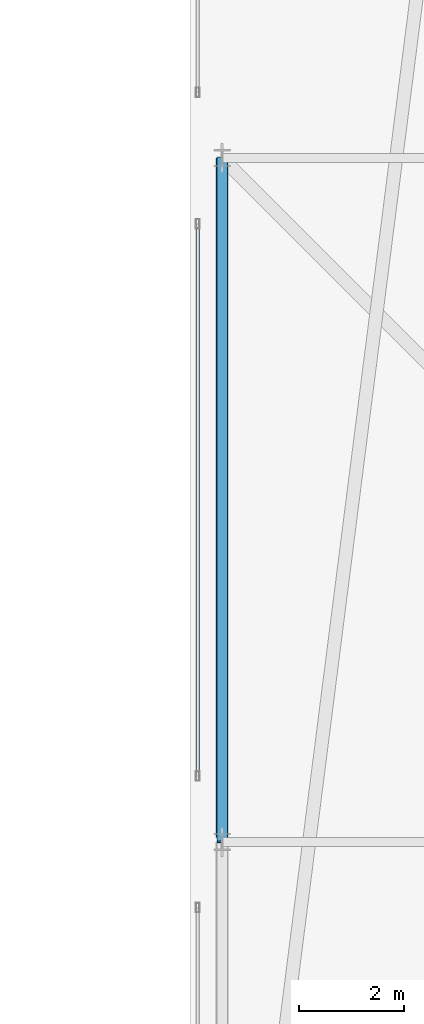
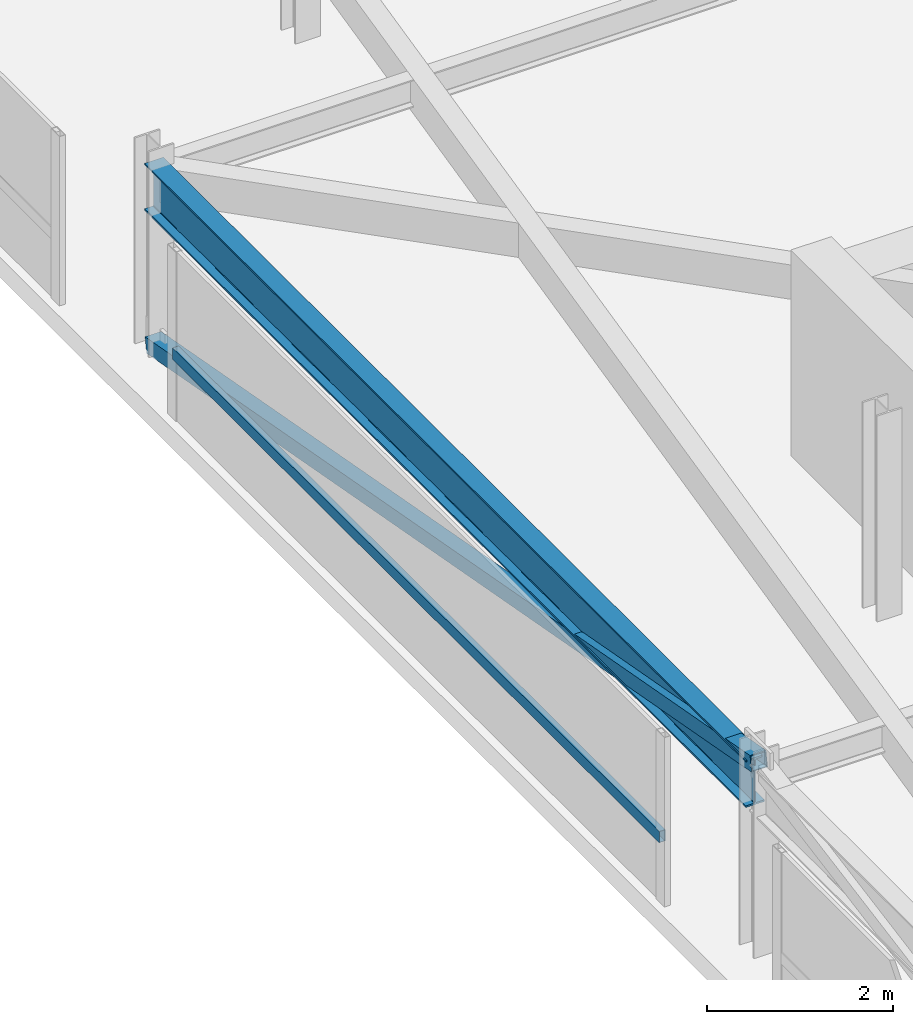
# One storey, part 23 of 44: 2 members, 1 beam, 1 element without a shape of its own.
"""IFC4 building model written with IfcOpenShell, lengths in metres."""

from ifc_helpers import new_model, si_unit, direction, frame, origin, origin_2d, place, context, subcontext, project, spatial, hollow_rectangle, i_section, extrude, material, material_profile, profile_set, type_object, element, aggregate, save


model = new_model("IFC4")

# Units and contexts
model_context = context("Model", 3, precision=1e-05, world=origin(), true_north=direction((0.0, 1.0)))
body_context = subcontext(model_context, "Body", "Model", "MODEL_VIEW")
ifc_project = project(units=[si_unit("LENGTHUNIT", "METRE"), si_unit("AREAUNIT", "SQUARE_METRE"), si_unit("VOLUMEUNIT", "CUBIC_METRE"), si_unit("PLANEANGLEUNIT", "RADIAN"), si_unit("MASSUNIT", "GRAM", prefix="KILO")], contexts=[model_context])

# Site, building, storey
site_placement = place(None, origin())
site = spatial("IfcSite", under=ifc_project, at=site_placement, CompositionType="ELEMENT")
building_placement = place(site_placement, origin())
building = spatial("IfcBuilding", under=site, at=building_placement, Name="Thornwick Lancets Civic Towers", CompositionType="ELEMENT")
storey_placement = place(building_placement, frame((0.0, 0.0, 292.199951171875)))
storey = spatial("IfcBuildingStorey", under=building, at=storey_placement, Name="C05", CompositionType="ELEMENT", Elevation=292.199951171875)

# Beam
ifc_material_1 = material(Name="Steel S355JR", Category="steel")
ifc_material_profile_1 = material_profile(ifc_material_1, i_section(OverallWidth=0.230224609375, OverallDepth=0.6171875, WebThickness=0.01318359375, FlangeThickness=0.022216796875, FilletRadius=0.0126953125, at=origin_2d()), Name="UKB 610x229x140")
ifc_profile_set_1 = profile_set([ifc_material_profile_1], Name="Steel S355JR")
beam_type = type_object("IfcBeamType", Name="BM_GIRD_610_140", PredefinedType="BEAM", material=ifc_profile_set_1)
beam_placement = place(storey_placement, frame((71.199951171875, 27.080078125, 2.13134765625), z_axis=(0.0, 1.0, 0.0), x_axis=(-1.0, 0.0, 0.0)))
element("IfcBeam", 1, at=beam_placement, inside=storey, type_object=beam_type, Name="BM-SPINE-C05-B-7-8", PredefinedType="BEAM", context=body_context, shape_type="SweptSolid", body=[
    extrude(i_section(OverallWidth=0.230224609375, OverallDepth=0.6171875, WebThickness=0.01318359375, FlangeThickness=0.022216796875, FilletRadius=0.0126953125, at=origin_2d()), origin(), (0.0, 0.0, 1.0), 12.919921875),
])

# Curtain wall, member
ifc_material_2 = material(Name="Crown ring acoustic-louvre and glazing screen wall", Category="glass")
curtain_wall_type = type_object("IfcCurtainWallType", Name="CW_SYS_07", PredefinedType="NOTDEFINED", material=ifc_material_2)
curtain_wall_placement = place(storey_placement, origin())
curtain_wall = element("IfcCurtainWall", 2, at=curtain_wall_placement, inside=storey, type_object=curtain_wall_type, Name="C05 Curtain Wall CW-C05-B-E6-S2", PredefinedType="NOTDEFINED")
ifc_material_3 = material(Name="Thermally broken bronze aluminium S355", Category="steel")
ifc_material_profile_2 = material_profile(ifc_material_3, hollow_rectangle(XDim=0.074951171875, YDim=0.14990234375, WallThickness=0.0048828125, at=origin_2d()), Name="RHS 150x75x5")
ifc_profile_set_2 = profile_set([ifc_material_profile_2], Name="Thermally broken bronze aluminium S355")
member_type_1 = type_object("IfcMemberType", Name="CW_TRN_150", PredefinedType="USERDEFINED", material=ifc_profile_set_2)
member_1_placement = place(storey_placement, frame((70.7353515625, 38.72998046875, 0.85009765625), z_axis=(0.0, -1.0, 0.0), x_axis=(1.0, 0.0, 0.0)))
member_1 = element("IfcMember", 3, at=member_1_placement, type_object=member_type_1, Name="CW-C05-B-E6-S2 Transom 0", ObjectType="TRANSOM", PredefinedType="USERDEFINED", context=body_context, shape_type="SweptSolid", body=[
    extrude(hollow_rectangle(XDim=0.074951171875, YDim=0.14990234375, WallThickness=0.0048828125, at=origin_2d()), origin(), (0.0, 0.0, 1.0), 10.4599609375),
])
aggregate(curtain_wall, [member_1])

# Member
ifc_material_profile_3 = material_profile(ifc_material_1, hollow_rectangle(XDim=0.199951171875, YDim=0.199951171875, WallThickness=0.012451171875, at=origin_2d()), Name="SHS 200x200x12.5")
ifc_profile_set_3 = profile_set([ifc_material_profile_3], Name="Steel S355JR")
member_type_2 = type_object("IfcMemberType", Name="MEM_CROWN_SHS200", PredefinedType="BRACE", material=ifc_profile_set_3)
member_2_placement = place(storey_placement, frame((71.199951171875, 40.0, 0.050048828125), z_axis=(0.0, -0.98351842104, 0.180807951915), x_axis=(1.0, 0.0, 0.0)))
element("IfcMember", 4, at=member_2_placement, inside=storey, type_object=member_type_2, Name="C05 Crown Ring Lancet Rib B-S2-R", PredefinedType="BRACE", context=body_context, shape_type="SweptSolid", body=[
    extrude(hollow_rectangle(XDim=0.199951171875, YDim=0.199951171875, WallThickness=0.012451171875, at=origin_2d()), origin(), (0.0, 0.0, 1.0), 13.2177734375),
])

save(model, "model.ifc")
